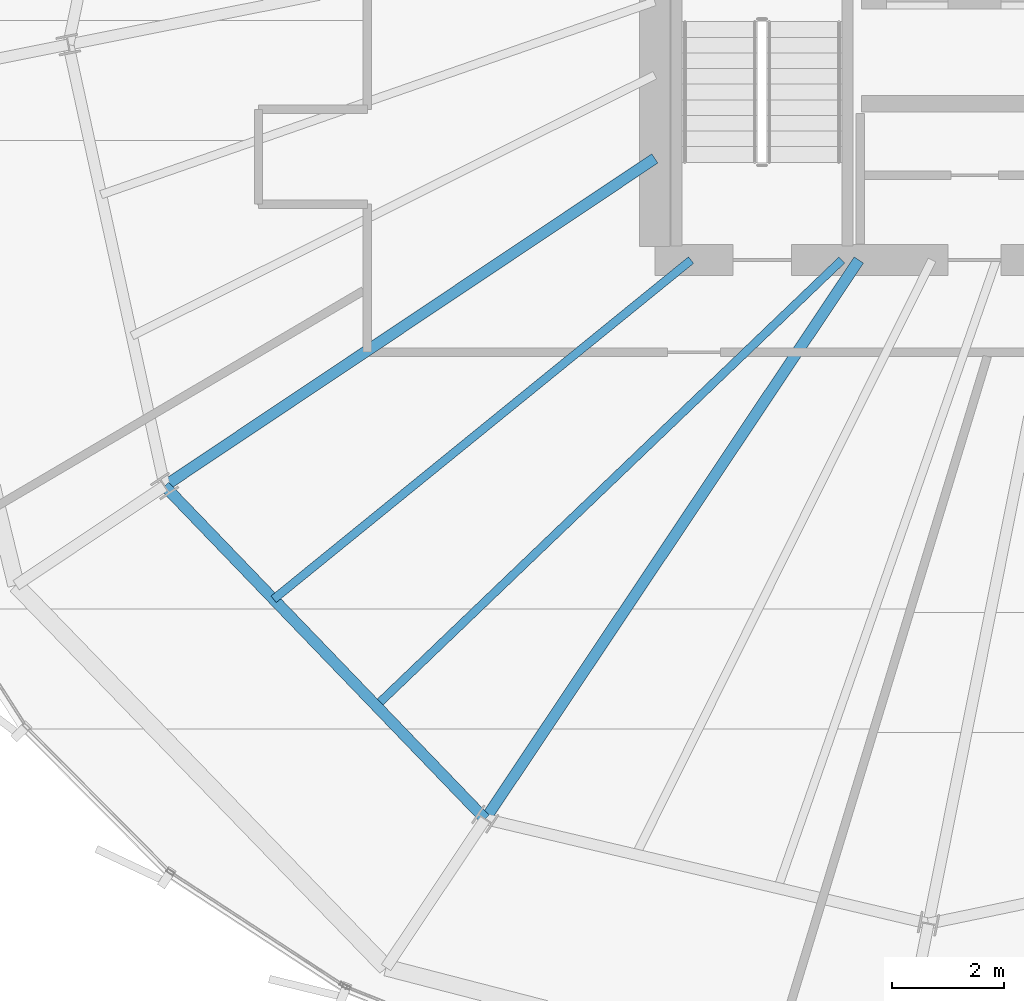
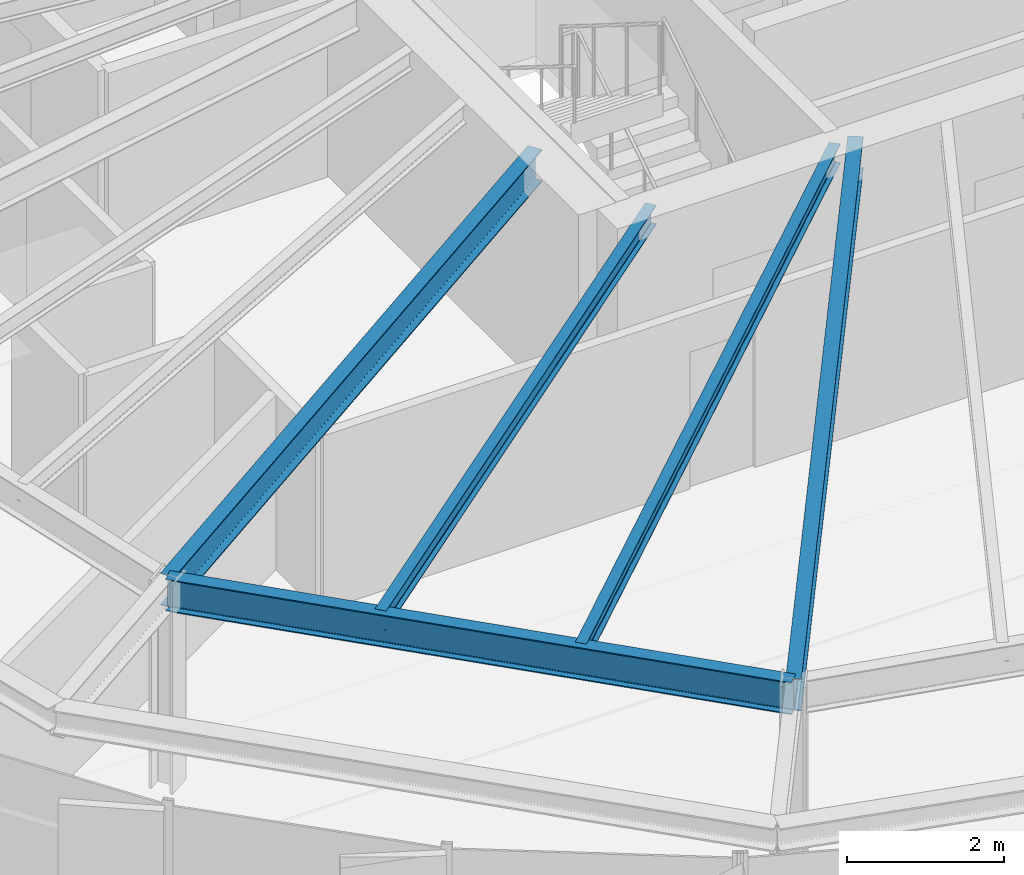
# One storey, part 5 of 34: 5 beams.
"""IFC4 building model written with IfcOpenShell, lengths in metres."""

from ifc_helpers import new_model, si_unit, direction, frame, origin, origin_2d, place, context, subcontext, project, spatial, i_section, extrude, source, transform, mapped, material, material_profile, profile_set, type_object, element, save


model = new_model("IFC4")

# Units and contexts
model_context = context("Model", 3, precision=1e-05, world=origin(), true_north=direction((0.0, 1.0)))
body_context = subcontext(model_context, "Body", "Model", "MODEL_VIEW")
ifc_project = project(units=[si_unit("LENGTHUNIT", "METRE"), si_unit("AREAUNIT", "SQUARE_METRE"), si_unit("VOLUMEUNIT", "CUBIC_METRE"), si_unit("PLANEANGLEUNIT", "RADIAN"), si_unit("MASSUNIT", "GRAM", prefix="KILO"), si_unit("THERMODYNAMICTEMPERATUREUNIT", "KELVIN")], contexts=[model_context])

# Site, building, storey
site_placement = place(None, origin())
site = spatial("IfcSite", under=ifc_project, at=site_placement, CompositionType="ELEMENT")
building_placement = place(site_placement, origin())
building = spatial("IfcBuilding", under=site, at=building_placement, Name="Kethvar Cultural Tower", CompositionType="ELEMENT")
storey_placement = place(building_placement, frame((0.0, 0.0, 190.39990234375)))
storey = spatial("IfcBuildingStorey", under=building, at=storey_placement, Name="L49", CompositionType="ELEMENT", Elevation=190.39990234375)

# Beams
ifc_material = material(Name="Steel S355J2", Category="steel")
ifc_material_profile_1 = material_profile(ifc_material, i_section(OverallWidth=0.199951171875, OverallDepth=0.5, WebThickness=0.01025390625, FlangeThickness=0.01611328125, FilletRadius=0.02099609375, at=origin_2d()), Name="Steel S355J2 — IPE500")
ifc_profile_set_1 = profile_set([ifc_material_profile_1], Name="Steel S355J2 — IPE500")
beam_type_1 = type_object("IfcBeamType", Name="BM-IPE500", PredefinedType="BEAM", material=ifc_profile_set_1)
shared_shape_1 = source(origin(), body_context, "Body", "SweptSolid", [
    extrude(i_section(OverallWidth=0.199951171875, OverallDepth=0.5, WebThickness=0.01025390625, FlangeThickness=0.01611328125, FilletRadius=0.02099609375, at=origin_2d()), origin(), (0.0, 0.0, 1.0), 10.562744140625),
])
beam_1_placement = place(storey_placement, frame((38.0, 21.920166015625, 3.008056640625), z_axis=(-0.831463100754, -0.555579978117, 0.0), x_axis=(0.555579978117, -0.831463100754, 0.0)))
element("IfcBeam", 1, at=beam_1_placement, inside=storey, type_object=beam_type_1, Name="L49 Primary Radial Beam RB-10", PredefinedType="BEAM", context=body_context, shape_type="MappedRepresentation", body=[
    mapped(shared_shape_1, transform((0.0, 0.0, 0.0), scale=1.0)),
])
shared_shape_2 = source(origin(), body_context, "Body", "SweptSolid", [
    extrude(i_section(OverallWidth=0.199951171875, OverallDepth=0.5, WebThickness=0.01025390625, FlangeThickness=0.01611328125, FilletRadius=0.02099609375, at=origin_2d()), origin(), (0.0, 0.0, 1.0), 12.0458984375),
])
beam_2_placement = place(storey_placement, frame((41.655029296875, 20.10009765625, 3.008056640625), z_axis=(-0.555569831996, -0.831469880258, 0.0), x_axis=(0.831469880258, -0.555569831996, 0.0)))
element("IfcBeam", 2, at=beam_2_placement, inside=storey, type_object=beam_type_1, Name="L49 Primary Radial Beam RB-11", PredefinedType="BEAM", context=body_context, shape_type="MappedRepresentation", body=[
    mapped(shared_shape_2, transform((0.0, 0.0, 0.0), scale=1.0)),
])
shared_shape_3 = source(origin(), body_context, "Body", "SweptSolid", [
    extrude(i_section(OverallWidth=0.199951171875, OverallDepth=0.5, WebThickness=0.01025390625, FlangeThickness=0.01611328125, FilletRadius=0.02099609375, at=origin_2d()), origin(), (0.0, 0.0, 1.0), 8.28369140625),
])
beam_3_placement = place(storey_placement, frame((29.217529296875, 16.0517578125, 3.008056640625), z_axis=(0.693554459208, -0.72040420051, 0.0), x_axis=(0.72040420051, 0.693554459208, 0.0)))
element("IfcBeam", 3, at=beam_3_placement, inside=storey, type_object=beam_type_1, Name="L49 Column Ring Tie Beam CR-10", PredefinedType="BEAM", context=body_context, shape_type="MappedRepresentation", body=[
    mapped(shared_shape_3, transform((0.0, 0.0, 0.0), scale=1.0)),
])
ifc_material_profile_2 = material_profile(ifc_material, i_section(OverallWidth=0.14990234375, OverallDepth=0.300048828125, WebThickness=0.007080078125, FlangeThickness=0.0107421875, FilletRadius=0.014892578125, at=origin_2d()), Name="Steel S355J2 — IPE300")
ifc_profile_set_2 = profile_set([ifc_material_profile_2], Name="Steel S355J2 — IPE300")
beam_type_2 = type_object("IfcBeamType", Name="BM-J300", PredefinedType="JOIST", material=ifc_profile_set_2)
shared_shape_4 = source(origin(), body_context, "Body", "SweptSolid", [
    extrude(i_section(OverallWidth=0.14990234375, OverallDepth=0.300048828125, WebThickness=0.007080078125, FlangeThickness=0.0107421875, FilletRadius=0.014892578125, at=origin_2d()), origin(), (0.0, 0.0, 1.0), 9.63671875),
])
beam_4_placement = place(storey_placement, frame((38.64990234375, 20.10009765625, 3.108154296875), z_axis=(-0.776090751649, -0.630621237515, 0.0), x_axis=(0.630621237515, -0.776090751649, 0.0)))
element("IfcBeam", 4, at=beam_4_placement, inside=storey, type_object=beam_type_2, Name="L49 Composite Floor Joist J-10A", PredefinedType="JOIST", context=body_context, shape_type="MappedRepresentation", body=[
    mapped(shared_shape_4, transform((0.0, 0.0, 0.0), scale=1.0)),
])
shared_shape_5 = source(origin(), body_context, "Body", "SweptSolid", [
    extrude(i_section(OverallWidth=0.14990234375, OverallDepth=0.300048828125, WebThickness=0.007080078125, FlangeThickness=0.0107421875, FilletRadius=0.014892578125, at=origin_2d()), origin(), (0.0, 0.0, 1.0), 11.548095703125),
])
beam_5_placement = place(storey_placement, frame((41.35009765625, 20.10009765625, 3.108154296875), z_axis=(-0.722268013472, -0.691613271067, 0.0), x_axis=(0.691613271067, -0.722268013472, 0.0)))
element("IfcBeam", 5, at=beam_5_placement, inside=storey, type_object=beam_type_2, Name="L49 Composite Floor Joist J-10B", PredefinedType="JOIST", context=body_context, shape_type="MappedRepresentation", body=[
    mapped(shared_shape_5, transform((0.0, 0.0, 0.0), scale=1.0)),
])

save(model, "model.ifc")
